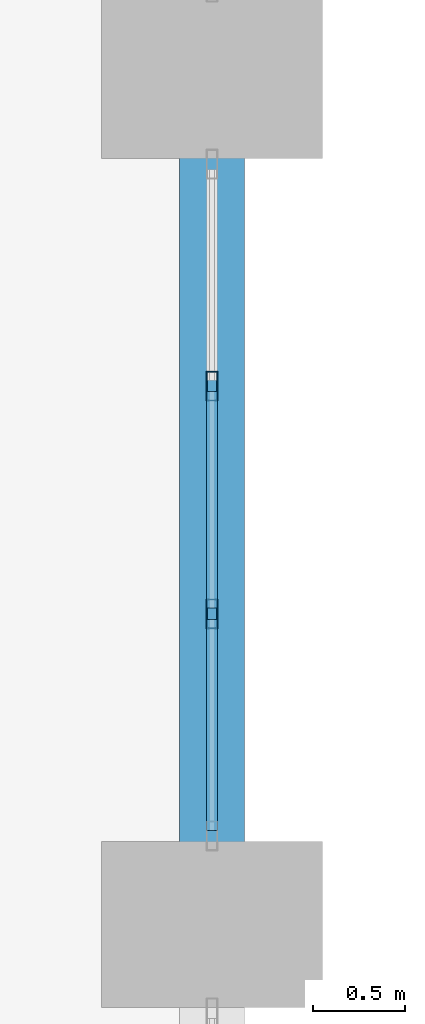
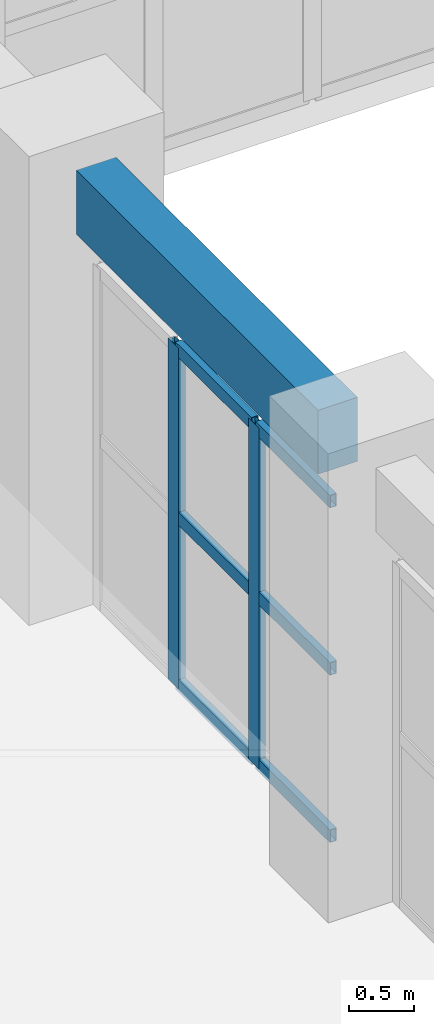
# One storey, part 64 of 116: 8 members, 1 beam, 1 element without a shape of its own.
"""IFC4 building model written with IfcOpenShell, lengths in metres."""

from ifc_helpers import new_model, si_unit, direction, frame, origin, origin_2d, place, context, subcontext, project, spatial, rectangle, hollow_rectangle, extrude, material, layer, layer_set, material_profile, profile_set, type_object, element, aggregate, save


model = new_model("IFC4")

# Units and contexts
model_context = context("Model", 3, precision=1e-05, world=origin(), true_north=direction((0.0, 1.0)))
body_context = subcontext(model_context, "Body", "Model", "MODEL_VIEW")
ifc_project = project(units=[si_unit("LENGTHUNIT", "METRE"), si_unit("AREAUNIT", "SQUARE_METRE"), si_unit("VOLUMEUNIT", "CUBIC_METRE"), si_unit("PLANEANGLEUNIT", "RADIAN"), si_unit("MASSUNIT", "GRAM", prefix="KILO")], contexts=[model_context])

# Site, building, storey
site_placement = place(None, origin())
site = spatial("IfcSite", under=ifc_project, at=site_placement, CompositionType="ELEMENT")
building_placement = place(site_placement, origin())
building = spatial("IfcBuilding", under=site, at=building_placement, Name="Muzn Square Opera House", CompositionType="ELEMENT")
storey_placement = place(building_placement, frame((0.0, 0.0, 5.39990234375)))
storey = spatial("IfcBuildingStorey", under=building, at=storey_placement, Name="L01", CompositionType="ELEMENT", Elevation=5.39990234375)

# Curtain wall, members
ifc_material_1 = material(Name="Low-E laminated acoustic double glazing", Category="glass")
ifc_layer = layer(ifc_material_1, 0.159912109375, Name="Low-E laminated acoustic double glazing", Category="glass")
ifc_layer_set = layer_set([ifc_layer], Name="Low-E laminated acoustic double glazing")
curtain_wall_type = type_object("IfcCurtainWallType", Name="Glazed Curtain Wall EastVaultCourt 3700x3200", PredefinedType="USERDEFINED", material=ifc_layer_set)
curtain_wall_placement = place(storey_placement, origin())
curtain_wall = element("IfcCurtainWall", 1, at=curtain_wall_placement, inside=storey, type_object=curtain_wall_type, Name="Glazed Curtain Wall CW-L01-046", ObjectType="GLAZED CURTAIN WALL", PredefinedType="USERDEFINED")
ifc_material_2 = material(Name="Anodised bronze aluminium 6063-T6", Category="metal")
ifc_material_profile_1 = material_profile(ifc_material_2, hollow_rectangle(XDim=0.06005859375, YDim=0.159912109375, WallThickness=0.00390625, at=origin_2d()), Name="ALU 160x60x4", Category="metal")
ifc_profile_set_1 = profile_set([ifc_material_profile_1], Name="Anodised bronze aluminium 6063-T6")
member_type_1 = type_object("IfcMemberType", Name="Curtain Wall Mullion 160x60", PredefinedType="MULLION", material=ifc_profile_set_1)
member_1_placement = place(storey_placement, frame((133.0, 46.683349609375, 0.0), z_axis=(0.0, 0.0, 1.0), x_axis=(-1.0, 0.0, 0.0)))
member_1 = element("IfcMember", 2, at=member_1_placement, type_object=member_type_1, Name="CW-EVC-37x32 mullion 2", PredefinedType="MULLION", context=body_context, shape_type="SweptSolid", body=[
    extrude(hollow_rectangle(XDim=0.06005859375, YDim=0.159912109375, WallThickness=0.00390625, at=origin_2d()), origin(), (0.0, 0.0, 1.0), 3.2001953125),
])
member_2_placement = place(storey_placement, frame((133.0, 47.916748046875, 0.0), z_axis=(0.0, 0.0, 1.0), x_axis=(-1.0, 0.0, 0.0)))
member_2 = element("IfcMember", 3, at=member_2_placement, type_object=member_type_1, Name="CW-EVC-37x32 mullion 3", PredefinedType="MULLION", context=body_context, shape_type="SweptSolid", body=[
    extrude(hollow_rectangle(XDim=0.06005859375, YDim=0.159912109375, WallThickness=0.00390625, at=origin_2d()), origin(), (0.0, 0.0, 1.0), 3.2001953125),
])
ifc_material_profile_2 = material_profile(ifc_material_2, hollow_rectangle(XDim=0.06005859375, YDim=0.1201171875, WallThickness=0.00390625, at=origin_2d()), Name="ALU 120x60x4", Category="metal")
ifc_profile_set_2 = profile_set([ifc_material_profile_2], Name="Anodised bronze aluminium 6063-T6")
member_type_2 = type_object("IfcMemberType", Name="Curtain Wall Transom 120x60", PredefinedType="USERDEFINED", material=ifc_profile_set_2)
member_3_placement = place(storey_placement, frame((133.0, 45.510009765625, 0.030029296875), z_axis=(0.0, 1.0, 0.0), x_axis=(-1.0, 0.0, 0.0)))
member_3 = element("IfcMember", 4, at=member_3_placement, type_object=member_type_2, Name="CW-EVC-37x32 transom 1.1", ObjectType="TRANSOM", PredefinedType="USERDEFINED", context=body_context, shape_type="SweptSolid", body=[
    extrude(hollow_rectangle(XDim=0.06005859375, YDim=0.1201171875, WallThickness=0.00390625, at=origin_2d()), origin(), (0.0, 0.0, 1.0), 1.143310546875),
])
member_4_placement = place(storey_placement, frame((133.0, 45.510009765625, 1.60009765625), z_axis=(0.0, 1.0, 0.0), x_axis=(-1.0, 0.0, 0.0)))
member_4 = element("IfcMember", 5, at=member_4_placement, type_object=member_type_2, Name="CW-EVC-37x32 transom 1.2", ObjectType="TRANSOM", PredefinedType="USERDEFINED", context=body_context, shape_type="SweptSolid", body=[
    extrude(hollow_rectangle(XDim=0.06005859375, YDim=0.1201171875, WallThickness=0.00390625, at=origin_2d()), origin(), (0.0, 0.0, 1.0), 1.143310546875),
])
member_5_placement = place(storey_placement, frame((133.0, 45.510009765625, 3.170166015625), z_axis=(0.0, 1.0, 0.0), x_axis=(-1.0, 0.0, 0.0)))
member_5 = element("IfcMember", 6, at=member_5_placement, type_object=member_type_2, Name="CW-EVC-37x32 transom 1.3", ObjectType="TRANSOM", PredefinedType="USERDEFINED", context=body_context, shape_type="SweptSolid", body=[
    extrude(hollow_rectangle(XDim=0.06005859375, YDim=0.1201171875, WallThickness=0.00390625, at=origin_2d()), origin(), (0.0, 0.0, 1.0), 1.143310546875),
])
member_6_placement = place(storey_placement, frame((133.0, 46.71337890625, 0.030029296875), z_axis=(0.0, 1.0, 0.0), x_axis=(-1.0, 0.0, 0.0)))
member_6 = element("IfcMember", 7, at=member_6_placement, type_object=member_type_2, Name="CW-EVC-37x32 transom 2.1", ObjectType="TRANSOM", PredefinedType="USERDEFINED", context=body_context, shape_type="SweptSolid", body=[
    extrude(hollow_rectangle(XDim=0.06005859375, YDim=0.1201171875, WallThickness=0.00390625, at=origin_2d()), origin(), (0.0, 0.0, 1.0), 1.17333984375),
])
member_7_placement = place(storey_placement, frame((133.0, 46.71337890625, 1.60009765625), z_axis=(0.0, 1.0, 0.0), x_axis=(-1.0, 0.0, 0.0)))
member_7 = element("IfcMember", 8, at=member_7_placement, type_object=member_type_2, Name="CW-EVC-37x32 transom 2.2", ObjectType="TRANSOM", PredefinedType="USERDEFINED", context=body_context, shape_type="SweptSolid", body=[
    extrude(hollow_rectangle(XDim=0.06005859375, YDim=0.1201171875, WallThickness=0.00390625, at=origin_2d()), origin(), (0.0, 0.0, 1.0), 1.17333984375),
])
member_8_placement = place(storey_placement, frame((133.0, 46.71337890625, 3.170166015625), z_axis=(0.0, 1.0, 0.0), x_axis=(-1.0, 0.0, 0.0)))
member_8 = element("IfcMember", 9, at=member_8_placement, type_object=member_type_2, Name="CW-EVC-37x32 transom 2.3", ObjectType="TRANSOM", PredefinedType="USERDEFINED", context=body_context, shape_type="SweptSolid", body=[
    extrude(hollow_rectangle(XDim=0.06005859375, YDim=0.1201171875, WallThickness=0.00390625, at=origin_2d()), origin(), (0.0, 0.0, 1.0), 1.17333984375),
])
aggregate(curtain_wall, [member_1, member_2, member_3, member_4, member_5, member_6, member_7, member_8])

# Beam
ifc_material_3 = material(Name="Concrete C40/50", Category="concrete")
ifc_material_profile_3 = material_profile(ifc_material_3, rectangle(XDim=0.35009765625, YDim=0.60009765625, at=origin_2d()), Name="RCB 350x600", Category="concrete")
ifc_profile_set_3 = profile_set([ifc_material_profile_3], Name="Concrete C40/50")
beam_type = type_object("IfcBeamType", Name="Primary Girder 350x600", PredefinedType="BEAM", material=ifc_profile_set_3)
beam_placement = place(storey_placement, frame((133.0, 45.44189453125, 3.820068359375), z_axis=(0.0, 1.0, 0.0), x_axis=(-1.0, 0.0, 0.0)))
element("IfcBeam", 10, at=beam_placement, inside=storey, type_object=beam_type, Name="Primary Girder BM-L01-BM-PG600-1330_454_1330_492-1706", PredefinedType="BEAM", context=body_context, shape_type="SweptSolid", body=[
    extrude(rectangle(XDim=0.35009765625, YDim=0.60009765625, at=origin_2d()), origin(), (0.0, 0.0, 1.0), 3.716064453125),
])

save(model, "model.ifc")
